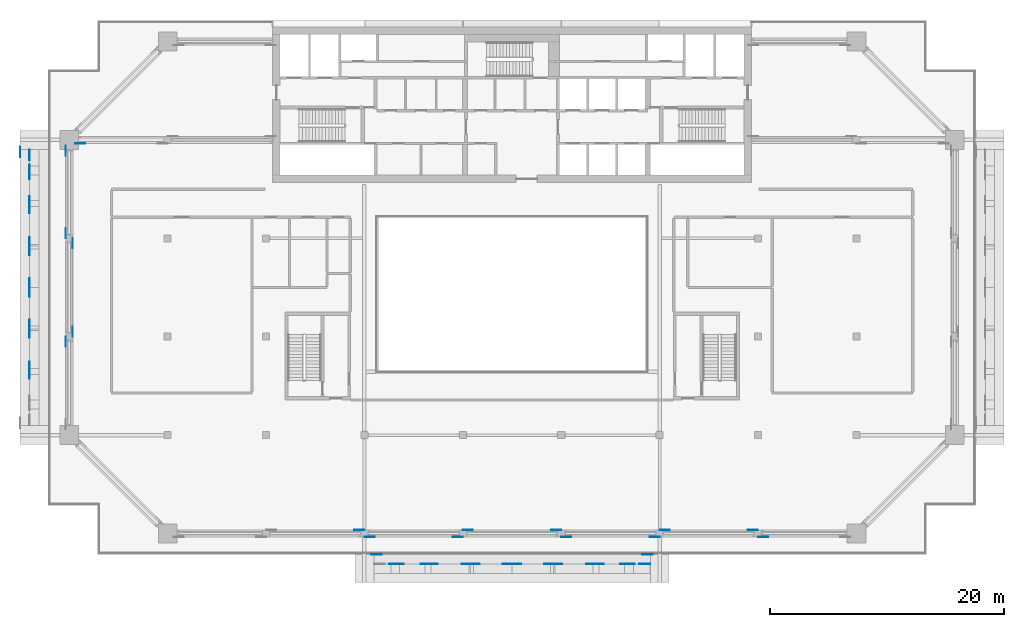
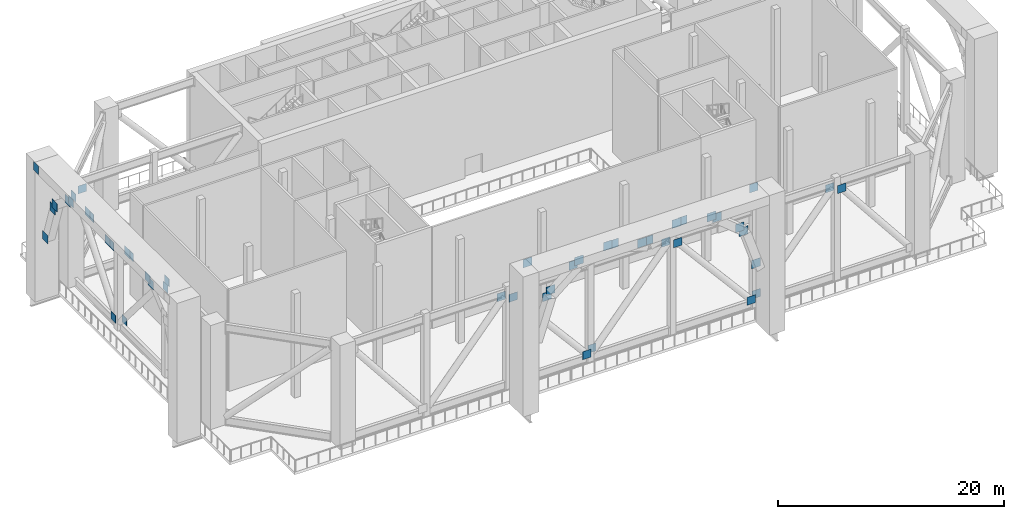
# One storey, part 11 of 19: 47 discrete accessories.
"""IFC4 building model written with IfcOpenShell, lengths in metres."""

import ifcopenshell
import ifcopenshell.guid

model = None  # the IFC model being written
_history = None  # IfcOwnerHistory: only IFC2X3 demands one
_inside = {}  # id of a spatial element -> (the spatial element, [elements in it])
_under = {}  # id of a project, library or spatial element -> (it, [spatial elements below it])
_declared = {}  # id of a project -> (the project, [libraries it declares])
_typed = {}  # id of a type object -> (the type object, [elements of that type])
_made_of = {}  # id of a material, layer set ... -> (it, [elements and type objects made of it])


def new_model(schema):
    """Start an empty IFC model of exactly this schema.

    Asked for "IFC4X3", IfcOpenShell would pick the latest addendum, in which some entities
    have other attributes; the version numbers below select the first issue.
    IFC2X3 requires an IfcOwnerHistory on every rooted entity: one is made here for all.
    """
    global model, _history
    if schema == "IFC4X3":
        model = ifcopenshell.file(schema_version=(4, 3, 0, 0))
    else:
        model = ifcopenshell.file(schema=schema)
    _inside.clear()
    _under.clear()
    _declared.clear()
    _typed.clear()
    _made_of.clear()
    _history = None
    if model.schema == "IFC2X3":
        org = make("IfcOrganization", Name="unknown")
        user = make(
            "IfcPersonAndOrganization",
            ThePerson=make("IfcPerson", FamilyName="unknown"),
            TheOrganization=org,
        )
        app = make(
            "IfcApplication",
            ApplicationDeveloper=org,
            Version="unknown",
            ApplicationFullName="unknown",
            ApplicationIdentifier="unknown",
        )
        _history = make(
            "IfcOwnerHistory",
            OwningUser=user,
            OwningApplication=app,
            ChangeAction="ADDED",
            CreationDate=0,
        )
    return model


def make(cls, **values):
    """One entity of the class cls with the attributes given. An attribute that is None is left unset."""
    return model.create_entity(
        cls, **{name: value for name, value in values.items() if value is not None}
    )


def rooted(cls, **values):
    """An entity with a GlobalId (a new one), such as an element, a storey or a relation."""
    return make(cls, GlobalId=ifcopenshell.guid.new(), OwnerHistory=_history, **values)


def si_unit(unit_type, name, prefix=None):
    """IfcSIUnit, for example si_unit("LENGTHUNIT", "METRE", prefix="MILLI")."""
    return make("IfcSIUnit", UnitType=unit_type, Prefix=prefix, Name=name)


def assignment(units):
    """IfcUnitAssignment: the units of a project."""
    return None if units is None else make("IfcUnitAssignment", Units=units)


def point(xyz):
    """IfcCartesianPoint."""
    return None if xyz is None else make("IfcCartesianPoint", Coordinates=xyz)


def direction(xyz):
    """IfcDirection."""
    return None if xyz is None else make("IfcDirection", DirectionRatios=xyz)


def frame(location, z_axis=None, x_axis=None):
    """IfcAxis2Placement3D, a coordinate frame: its origin and axes. An axis left out is left unset."""
    return make(
        "IfcAxis2Placement3D",
        Location=point(location),
        Axis=direction(z_axis),
        RefDirection=direction(x_axis),
    )


def frame_2d(location, x_axis=None):
    """IfcAxis2Placement2D, a coordinate frame in the plane: its origin and x axis."""
    return make(
        "IfcAxis2Placement2D", Location=point(location), RefDirection=direction(x_axis)
    )


def origin():
    """The frame at (0, 0, 0) with its axes left unset."""
    return frame((0.0, 0.0, 0.0))


def origin_2d():
    """The frame at (0, 0) in the plane with its x axis left unset."""
    return frame_2d((0.0, 0.0))


def place(relative_to, where):
    """IfcLocalPlacement: puts the frame where relative to a parent placement (None: the world)."""
    return make(
        "IfcLocalPlacement", PlacementRelTo=relative_to, RelativePlacement=where
    )


def context(
    kind, dimensions, precision=None, world=None, true_north=None, identifier=None
):
    """IfcGeometricRepresentationContext, for example the 3D "Model" context."""
    return make(
        "IfcGeometricRepresentationContext",
        ContextIdentifier=identifier,
        ContextType=kind,
        CoordinateSpaceDimension=dimensions,
        Precision=precision,
        WorldCoordinateSystem=world,
        TrueNorth=true_north,
    )


def subcontext(parent, identifier, kind, view, scale=None):
    """IfcGeometricRepresentationSubContext, for example "Body" below "Model"."""
    return make(
        "IfcGeometricRepresentationSubContext",
        ContextIdentifier=identifier,
        ContextType=kind,
        ParentContext=parent,
        TargetScale=scale,
        TargetView=view,
    )


def project(units=None, contexts=None):
    """IfcProject with its units and contexts."""
    return rooted(
        "IfcProject",
        Name="project",
        RepresentationContexts=contexts,
        UnitsInContext=assignment(units),
    )


def spatial(cls, under=None, at=None, **own):
    """A site, building, storey or space (cls), placed at a placement, below another one or the project."""
    s = rooted(cls, ObjectPlacement=at, **own)
    if under is not None:
        _under.setdefault(under.id(), (under, []))[1].append(s)
    return s


def profile(cls, at=None, kind="AREA", **sizes):
    """A parametric profile (cls). Its sizes go by their IFC names, for example OverallWidth=200.0."""
    return make(cls, ProfileType=kind, Position=at, **sizes)


def rectangle(**sizes):
    """IfcRectangleProfileDef."""
    return profile("IfcRectangleProfileDef", **sizes)


def extrude(swept, where, along, depth):
    """IfcExtrudedAreaSolid: the profile swept, set in the frame where, extruded along a direction by depth."""
    return make(
        "IfcExtrudedAreaSolid",
        SweptArea=swept,
        Position=where,
        ExtrudedDirection=direction(along),
        Depth=depth,
    )


def shape(context_of_items, identifier, shape_type, items):
    """IfcShapeRepresentation: the items that make up one representation, for example the "Body"."""
    return make(
        "IfcShapeRepresentation",
        ContextOfItems=context_of_items,
        RepresentationIdentifier=identifier,
        RepresentationType=shape_type,
        Items=items,
    )


def made_of(thing, what):
    """Note that an element or type object is made of a material, layer set ...; save() writes the relation."""
    if what is not None:
        _made_of.setdefault(what.id(), (what, []))[1].append(thing)
    return thing


def element(
    cls,
    number,
    at=None,
    inside=None,
    cuts=None,
    type_object=None,
    material=None,
    context=None,
    identifier="Body",
    shape_type=None,
    held_by="IfcProductDefinitionShape",
    body=None,
    shapes=None,
    **own,
):
    """One element of the class cls, such as IfcWall. Its Tag is "e" and its number.

    at: its placement. inside: the storey or other place that contains it. cuts: it is an
    opening in that element (IfcRelVoidsElement). A single representation is given by context,
    identifier, shape_type and body (its items); several are given by shapes. held_by: the class
    of the entity that holds the representations. save() writes the other relations.
    """
    e = rooted(cls, Tag="e%d" % number, ObjectPlacement=at, **own)
    if body is not None:
        shapes = [shape(context, identifier, shape_type, body)]
    if shapes is not None:
        e.Representation = make(held_by, Representations=shapes)
    if inside is not None:
        _inside.setdefault(inside.id(), (inside, []))[1].append(e)
    if cuts is not None:
        rooted(
            "IfcRelVoidsElement", RelatingBuildingElement=cuts, RelatedOpeningElement=e
        )
    if type_object is not None:
        _typed.setdefault(type_object.id(), (type_object, []))[1].append(e)
    return made_of(e, material)


def aggregate(whole, parts):
    """IfcRelAggregates: a whole, such as a stair, and the parts it consists of."""
    return rooted("IfcRelAggregates", RelatingObject=whole, RelatedObjects=parts)


def save(model, path):
    """Write the relations noted so far, then the file.

    IfcRelAggregates (storeys below a building ...), IfcRelContainedInSpatialStructure (elements
    in a storey), IfcRelDefinesByType, IfcRelAssociatesMaterial and IfcRelDeclares: one each for
    every whole, place, type object, material and project.
    """
    for whole, parts in _under.values():
        aggregate(whole, parts)
    for where, things in _inside.values():
        rooted(
            "IfcRelContainedInSpatialStructure",
            RelatedElements=things,
            RelatingStructure=where,
        )
    for kind, things in _typed.values():
        rooted("IfcRelDefinesByType", RelatedObjects=things, RelatingType=kind)
    for what, things in _made_of.values():
        rooted("IfcRelAssociatesMaterial", RelatedObjects=things, RelatingMaterial=what)
    for by, libraries in _declared.values():
        rooted("IfcRelDeclares", RelatingContext=by, RelatedDefinitions=libraries)
    model.write(path)


model = new_model("IFC4")

# Units and contexts
model_context = context("Model", 3, precision=1e-05, world=origin(), true_north=direction((0.0, 1.0)))
body_context = subcontext(model_context, "Body", "Model", "MODEL_VIEW")
ifc_project = project(units=[si_unit("LENGTHUNIT", "METRE"), si_unit("AREAUNIT", "SQUARE_METRE"), si_unit("VOLUMEUNIT", "CUBIC_METRE"), si_unit("PLANEANGLEUNIT", "RADIAN"), si_unit("MASSUNIT", "GRAM", prefix="KILO")], contexts=[model_context])

# Site, building, storey
site_placement = place(None, origin())
site = spatial("IfcSite", under=ifc_project, at=site_placement, CompositionType="ELEMENT")
building_placement = place(site_placement, origin())
building = spatial("IfcBuilding", under=site, at=building_placement, Name="Saffron Gate Tower", CompositionType="ELEMENT")
storey_placement = place(building_placement, frame((0.0, 0.0, 194.25)))
storey = spatial("IfcBuildingStorey", under=building, at=storey_placement, Name="L48", CompositionType="ELEMENT", Elevation=194.25)

# Discrete accessories
for number, where, z_axis, x_axis, name in (
    (1, (49.4951171875, 48.1669921875, 9.47607421875), (0.0, 0.0, 1.0), (0.0, 1.0, 0.0), "GUSSET PLATE"),
    (2, (50.10498046875, 56.561767578125, 0.635498046875), (0.0, 0.0, 1.0), (0.0, -1.0, 0.0), "GUSSET PLATE"),
    (3, (50.10498046875, 49.038330078125, 9.48046875), (0.0, 0.0, 1.0), (0.0, -1.0, 0.0), "GUSSET PLATE"),
    (4, (49.4951171875, 57.43310546875, 0.639892578125), (0.0, 0.0, 1.0), (0.0, 1.0, 0.0), "GUSSET PLATE"),
    (5, (49.4951171875, 64.467041015625, 9.47607421875), (0.0, 0.0, 1.0), (0.0, 1.0, 0.0), "GUSSET PLATE"),
    (6, (74.561767578125, 32.10498046875, 9.48046875), (0.0, 0.0, 1.0), (1.0, 0.0, 0.0), "GUSSET PLATE"),
    (7, (82.961669921875, 31.4951171875, 0.635498046875), (0.0, 0.0, 1.0), (-1.0, 0.0, 0.0), "GUSSET PLATE"),
    (8, (75.438232421875, 31.4951171875, 9.48046875), (0.0, 0.0, 1.0), (-1.0, 0.0, 0.0), "GUSSET PLATE"),
    (9, (83.83837890625, 32.10498046875, 0.635498046875), (0.0, 0.0, 1.0), (1.0, 0.0, 0.0), "GUSSET PLATE"),
    (10, (91.36181640625, 32.10498046875, 9.48046875), (0.0, 0.0, 1.0), (1.0, 0.0, 0.0), "GUSSET PLATE"),
    (11, (99.76171875, 31.4951171875, 0.635498046875), (0.0, 0.0, 1.0), (-1.0, 0.0, 0.0), "GUSSET PLATE"),
    (12, (92.23828125, 31.4951171875, 9.48046875), (0.0, 0.0, 1.0), (-1.0, 0.0, 0.0), "GUSSET PLATE"),
    (13, (100.63818359375, 32.10498046875, 0.635498046875), (0.0, 0.0, 1.0), (1.0, 0.0, 0.0), "GUSSET PLATE"),
    (14, (108.16162109375, 32.10498046875, 9.48046875), (0.0, 0.0, 1.0), (1.0, 0.0, 0.0), "GUSSET PLATE"),
    (15, (109.032958984375, 31.4951171875, 9.47607421875), (0.0, 0.0, 1.0), (-1.0, 0.0, 0.0), "GUSSET PLATE"),
    (16, (50.73291015625, 65.094970703125, 9.47607421875), (0.0, 0.0, 1.0), (-1.0, 0.0, 0.0), "GUSSET PLATE"),
):
    element("IfcDiscreteAccessory", number, at=place(storey_placement, frame(where, z_axis=z_axis, x_axis=x_axis)), inside=storey, Name=name, ObjectType="GUSSET PLATE", PredefinedType="USERDEFINED", context=body_context, shape_type="SweptSolid", body=[
        extrude(rectangle(XDim=0.85400390625, YDim=0.02001953125, at=origin_2d()), origin(), (0.0, 0.0, 1.0), 0.85400390625),
    ])
for number, where, z_axis, x_axis, name in (
    (17, (77.55517578125, 29.199951171875, 10.19677734375), (0.0, 0.0, 1.0), (1.0, 0.0, 0.0), "EMBEDDED PLATE"),
    (18, (77.92431640625, 29.199951171875, 10.737548828125), (0.0, 0.0, 1.0), (1.0, 0.0, 0.0), "EMBEDDED PLATE"),
    (19, (80.24072265625, 29.199951171875, 12.64892578125), (0.0, 0.0, 1.0), (1.0, 0.0, 0.0), "EMBEDDED PLATE"),
    (20, (80.811279296875, 29.199951171875, 12.919677734375), (0.0, 0.0, 1.0), (1.0, 0.0, 0.0), "EMBEDDED PLATE"),
    (21, (83.771240234375, 29.199951171875, 13.50927734375), (0.0, 0.0, 1.0), (1.0, 0.0, 0.0), "EMBEDDED PLATE"),
    (22, (84.40234375, 29.199951171875, 13.4775390625), (0.0, 0.0, 1.0), (1.0, 0.0, 0.0), "EMBEDDED PLATE"),
    (23, (87.267822265625, 29.199951171875, 12.6015625), (0.0, 0.0, 1.0), (1.0, 0.0, 0.0), "EMBEDDED PLATE"),
    (24, (87.93212890625, 29.199951171875, 12.6015625), (0.0, 0.0, 1.0), (1.0, 0.0, 0.0), "EMBEDDED PLATE"),
    (25, (90.797607421875, 29.199951171875, 13.4775390625), (0.0, 0.0, 1.0), (1.0, 0.0, 0.0), "EMBEDDED PLATE"),
    (26, (91.4287109375, 29.199951171875, 13.50927734375), (0.0, 0.0, 1.0), (1.0, 0.0, 0.0), "EMBEDDED PLATE"),
    (27, (94.388671875, 29.199951171875, 12.919677734375), (0.0, 0.0, 1.0), (1.0, 0.0, 0.0), "EMBEDDED PLATE"),
    (28, (94.959228515625, 29.199951171875, 12.64892578125), (0.0, 0.0, 1.0), (1.0, 0.0, 0.0), "EMBEDDED PLATE"),
    (29, (97.275634765625, 29.199951171875, 10.737548828125), (0.0, 0.0, 1.0), (1.0, 0.0, 0.0), "EMBEDDED PLATE"),
    (30, (97.644775390625, 29.199951171875, 10.19677734375), (0.0, 0.0, 1.0), (1.0, 0.0, 0.0), "EMBEDDED PLATE"),
    (31, (98.9296875, 29.199951171875, 6.28125), (0.0, 0.0, 1.0), (1.0, 0.0, 0.0), "EMBEDDED PLATE"),
    (32, (76.02490234375, 30.0, 13.900146484375), (0.0, 0.0, 1.0), (1.0, 0.0, 0.0), "EMBEDDED PLATE"),
    (33, (99.175048828125, 30.0, 13.900146484375), (0.0, 0.0, 1.0), (1.0, 0.0, 0.0), "EMBEDDED PLATE"),
    (34, (46.39990234375, 45.440673828125, 12.64892578125), (0.0, 0.0, 1.0), (0.0, 1.0, 0.0), "EMBEDDED PLATE"),
    (35, (46.39990234375, 46.01123046875, 12.919677734375), (0.0, 0.0, 1.0), (0.0, 1.0, 0.0), "EMBEDDED PLATE"),
    (36, (46.39990234375, 48.97119140625, 13.50927734375), (0.0, 0.0, 1.0), (0.0, 1.0, 0.0), "EMBEDDED PLATE"),
    (37, (46.39990234375, 49.602294921875, 13.4775390625), (0.0, 0.0, 1.0), (0.0, 1.0, 0.0), "EMBEDDED PLATE"),
    (38, (46.39990234375, 52.468017578125, 12.6015625), (0.0, 0.0, 1.0), (0.0, 1.0, 0.0), "EMBEDDED PLATE"),
    (39, (46.39990234375, 53.132080078125, 12.6015625), (0.0, 0.0, 1.0), (0.0, 1.0, 0.0), "EMBEDDED PLATE"),
    (40, (46.39990234375, 55.997802734375, 13.4775390625), (0.0, 0.0, 1.0), (0.0, 1.0, 0.0), "EMBEDDED PLATE"),
    (41, (46.39990234375, 56.628662109375, 13.50927734375), (0.0, 0.0, 1.0), (0.0, 1.0, 0.0), "EMBEDDED PLATE"),
    (42, (46.39990234375, 59.588623046875, 12.919677734375), (0.0, 0.0, 1.0), (0.0, 1.0, 0.0), "EMBEDDED PLATE"),
    (43, (46.39990234375, 60.1591796875, 12.64892578125), (0.0, 0.0, 1.0), (0.0, 1.0, 0.0), "EMBEDDED PLATE"),
    (44, (46.39990234375, 62.4755859375, 10.737548828125), (0.0, 0.0, 1.0), (0.0, 1.0, 0.0), "EMBEDDED PLATE"),
    (45, (46.39990234375, 62.8447265625, 10.19677734375), (0.0, 0.0, 1.0), (0.0, 1.0, 0.0), "EMBEDDED PLATE"),
    (46, (46.39990234375, 64.1298828125, 6.28125), (0.0, 0.0, 1.0), (0.0, 1.0, 0.0), "EMBEDDED PLATE"),
    (47, (45.60009765625, 64.375, 13.900146484375), (0.0, 0.0, 1.0), (0.0, 1.0, 0.0), "EMBEDDED PLATE"),
):
    element("IfcDiscreteAccessory", number, at=place(storey_placement, frame(where, z_axis=z_axis, x_axis=x_axis)), inside=storey, Name=name, ObjectType="EMBEDDED PLATE", PredefinedType="USERDEFINED", context=body_context, shape_type="SweptSolid", body=[
        extrude(rectangle(XDim=0.89990234375, YDim=0.02001953125, at=origin_2d()), origin(), (0.0, 0.0, 1.0), 0.89990234375),
    ])

save(model, "model.ifc")
